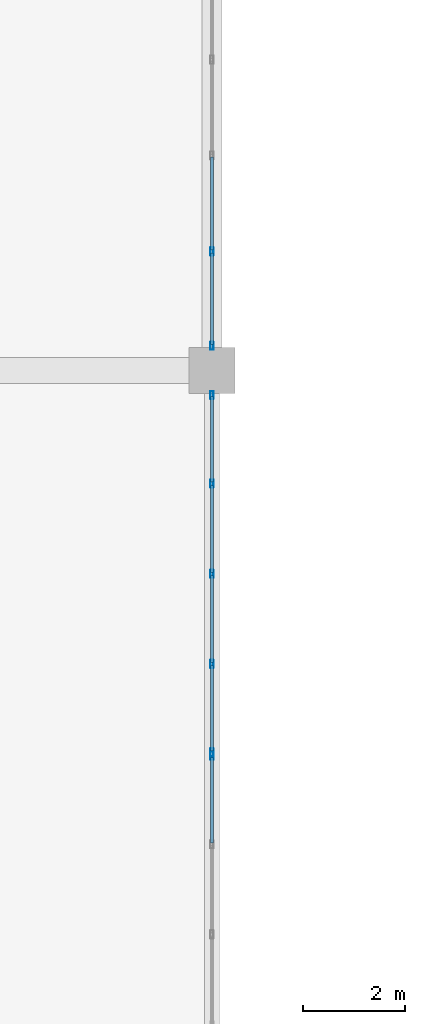
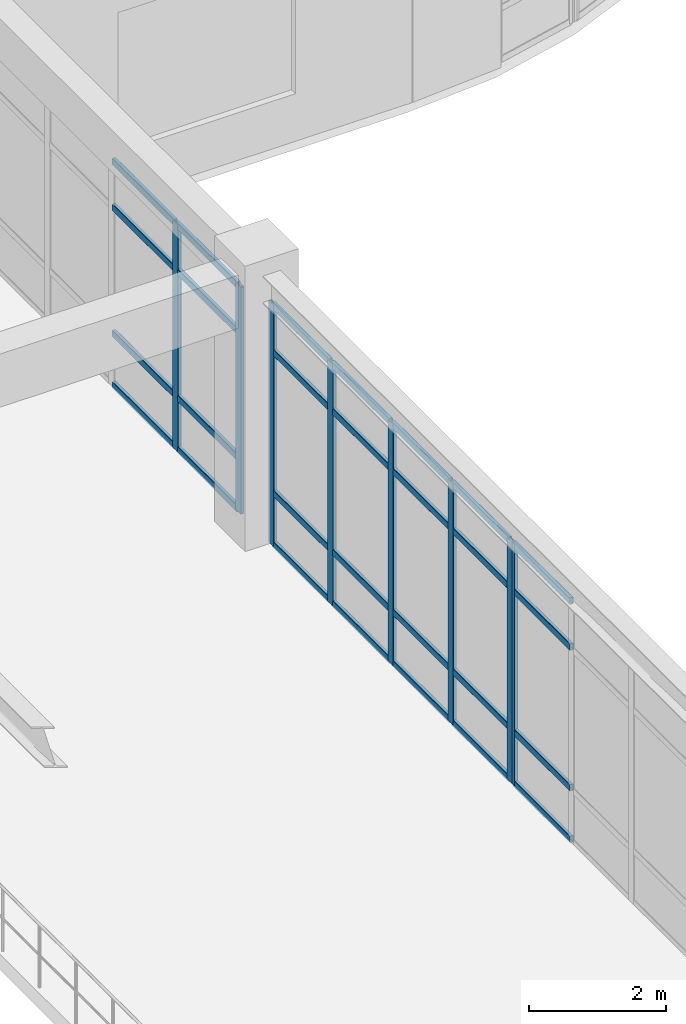
# One storey, part 74 of 120: 36 members, 3 elements without a shape of their own.
"""IFC4 building model written with IfcOpenShell, lengths in metres."""

from ifc_helpers import new_model, si_unit, derived_unit, direction, frame, origin, origin_2d, place, context, subcontext, project, spatial, hollow_rectangle, extrude, material, layer, layer_set, material_profile, profile_set, type_object, element, aggregate, save


model = new_model("IFC4")

# Units and contexts
model_context = context("Model", 3, precision=1e-05, world=origin(), true_north=direction((0.0, 1.0)))
body_context = subcontext(model_context, "Body", "Model", "MODEL_VIEW")
ifc_project = project(units=[si_unit("LENGTHUNIT", "METRE"), si_unit("AREAUNIT", "SQUARE_METRE"), si_unit("VOLUMEUNIT", "CUBIC_METRE"), si_unit("PLANEANGLEUNIT", "RADIAN"), si_unit("MASSUNIT", "GRAM", prefix="KILO"), derived_unit("THERMALTRANSMITTANCEUNIT", [(si_unit("MASSUNIT", "GRAM", prefix="KILO"), 1), (si_unit("TIMEUNIT", "SECOND"), -3), (si_unit("THERMODYNAMICTEMPERATUREUNIT", "KELVIN"), -1)])], contexts=[model_context])

# Site, building, storey
site_placement = place(None, origin())
site = spatial("IfcSite", under=ifc_project, at=site_placement, CompositionType="ELEMENT")
building_placement = place(site_placement, origin())
building = spatial("IfcBuilding", under=site, at=building_placement, Name="Qinzheling Arcade Emporium", CompositionType="ELEMENT")
storey_placement = place(building_placement, frame((0.0, 0.0, 11.39990234375)))
storey = spatial("IfcBuildingStorey", under=building, at=storey_placement, Name="L03", CompositionType="ELEMENT", Elevation=11.39990234375)

# Curtain wall, members
ifc_material_1 = material(Name="Anodised aluminium and solar-control double glazing", Category="aluminium")
ifc_layer = layer(ifc_material_1, 0.159912109375, Name="Anodised aluminium and solar-control double glazing", Category="aluminium")
ifc_layer_set = layer_set([ifc_layer], Name="Anodised aluminium and solar-control double glazing")
curtain_wall_type = type_object("IfcCurtainWallType", Name="Arcade Portal Glazed Curtain Wall", PredefinedType="NOTDEFINED", material=ifc_layer_set)
curtain_wall_1_placement = place(storey_placement, origin())
curtain_wall_1 = element("IfcCurtainWall", 1, at=curtain_wall_1_placement, inside=storey, type_object=curtain_wall_type, Name="Curtain Wall CW-L03-200", PredefinedType="NOTDEFINED")
ifc_material_2 = material(Name="Anodised aluminium 6063-T6", Category="aluminium")
ifc_material_profile_1 = material_profile(ifc_material_2, hollow_rectangle(XDim=0.06005859375, YDim=0.159912109375, WallThickness=0.00390625, InnerFilletRadius=0.00390625, OuterFilletRadius=0.008056640625, at=origin_2d()), Name="RHS 160x60x4", Category="aluminium")
ifc_profile_set_1 = profile_set([ifc_material_profile_1], Name="Anodised aluminium 6063-T6")
member_type_1 = type_object("IfcMemberType", Name="Curtain Wall Mullion RHS160x60", PredefinedType="MULLION", material=ifc_profile_set_1)
member_1_placement = place(storey_placement, frame((130.5, 67.72607421875, 0.0), z_axis=(0.0, 0.0, 1.0), x_axis=(1.0, 0.0, 0.0)))
member_1 = element("IfcMember", 2, at=member_1_placement, type_object=member_type_1, Name="CW05 mullion 4", PredefinedType="MULLION", context=body_context, shape_type="SweptSolid", body=[
    extrude(hollow_rectangle(XDim=0.06005859375, YDim=0.159912109375, WallThickness=0.00390625, InnerFilletRadius=0.00390625, OuterFilletRadius=0.008056640625, at=origin_2d()), origin(), (0.0, 0.0, 1.0), 4.05517578125),
])
member_2_placement = place(storey_placement, frame((130.5, 65.882080078125, 0.0), z_axis=(0.0, 0.0, 1.0), x_axis=(1.0, 0.0, 0.0)))
member_2 = element("IfcMember", 3, at=member_2_placement, type_object=member_type_1, Name="CW05 mullion 5", PredefinedType="MULLION", context=body_context, shape_type="SweptSolid", body=[
    extrude(hollow_rectangle(XDim=0.06005859375, YDim=0.159912109375, WallThickness=0.00390625, InnerFilletRadius=0.00390625, OuterFilletRadius=0.008056640625, at=origin_2d()), origin(), (0.0, 0.0, 1.0), 4.05517578125),
])

curtain_wall_2_placement = place(storey_placement, origin())
curtain_wall_2 = element("IfcCurtainWall", 4, at=curtain_wall_2_placement, inside=storey, type_object=curtain_wall_type, Name="Curtain Wall CW-L03-201", PredefinedType="NOTDEFINED")
member_3_placement = place(storey_placement, frame((130.5, 64.91796875, 0.0), z_axis=(0.0, 0.0, 1.0), x_axis=(1.0, 0.0, 0.0)))
member_3 = element("IfcMember", 5, at=member_3_placement, type_object=member_type_1, Name="CW05 mullion 1", PredefinedType="MULLION", context=body_context, shape_type="SweptSolid", body=[
    extrude(hollow_rectangle(XDim=0.06005859375, YDim=0.159912109375, WallThickness=0.00390625, InnerFilletRadius=0.00390625, OuterFilletRadius=0.008056640625, at=origin_2d()), origin(), (0.0, 0.0, 1.0), 4.317138671875),
])
member_4_placement = place(storey_placement, frame((130.5, 63.1865234375, 0.0), z_axis=(0.0, 0.0, 1.0), x_axis=(1.0, 0.0, 0.0)))
member_4 = element("IfcMember", 6, at=member_4_placement, type_object=member_type_1, Name="CW05 mullion 2", PredefinedType="MULLION", context=body_context, shape_type="SweptSolid", body=[
    extrude(hollow_rectangle(XDim=0.06005859375, YDim=0.159912109375, WallThickness=0.00390625, InnerFilletRadius=0.00390625, OuterFilletRadius=0.008056640625, at=origin_2d()), origin(), (0.0, 0.0, 1.0), 4.317138671875),
])
member_5_placement = place(storey_placement, frame((130.5, 61.425048828125, 0.0), z_axis=(0.0, 0.0, 1.0), x_axis=(1.0, 0.0, 0.0)))
member_5 = element("IfcMember", 7, at=member_5_placement, type_object=member_type_1, Name="CW05 mullion 3", PredefinedType="MULLION", context=body_context, shape_type="SweptSolid", body=[
    extrude(hollow_rectangle(XDim=0.06005859375, YDim=0.159912109375, WallThickness=0.00390625, InnerFilletRadius=0.00390625, OuterFilletRadius=0.008056640625, at=origin_2d()), origin(), (0.0, 0.0, 1.0), 4.317138671875),
])
member_6_placement = place(storey_placement, frame((130.5, 59.66357421875, 0.0), z_axis=(0.0, 0.0, 1.0), x_axis=(1.0, 0.0, 0.0)))
member_6 = element("IfcMember", 8, at=member_6_placement, type_object=member_type_1, Name="CW05 mullion 4", PredefinedType="MULLION", context=body_context, shape_type="SweptSolid", body=[
    extrude(hollow_rectangle(XDim=0.06005859375, YDim=0.159912109375, WallThickness=0.00390625, InnerFilletRadius=0.00390625, OuterFilletRadius=0.008056640625, at=origin_2d()), origin(), (0.0, 0.0, 1.0), 4.317138671875),
])
member_7_placement = place(storey_placement, frame((130.5, 57.931884765625, 0.0), z_axis=(0.0, 0.0, 1.0), x_axis=(1.0, 0.0, 0.0)))
member_7 = element("IfcMember", 9, at=member_7_placement, type_object=member_type_1, Name="CW05 mullion 5", PredefinedType="MULLION", context=body_context, shape_type="SweptSolid", body=[
    extrude(hollow_rectangle(XDim=0.06005859375, YDim=0.159912109375, WallThickness=0.00390625, InnerFilletRadius=0.00390625, OuterFilletRadius=0.008056640625, at=origin_2d()), origin(), (0.0, 0.0, 1.0), 4.317138671875),
])

# Curtain wall, member
curtain_wall_3_placement = place(storey_placement, origin())
curtain_wall_3 = element("IfcCurtainWall", 10, at=curtain_wall_3_placement, inside=storey, type_object=curtain_wall_type, Name="Curtain Wall CW-L03-202", PredefinedType="NOTDEFINED")
member_8_placement = place(storey_placement, frame((130.5, 57.867919921875, 0.0), z_axis=(0.0, 0.0, 1.0), x_axis=(1.0, 0.0, 0.0)))
member_8 = element("IfcMember", 11, at=member_8_placement, type_object=member_type_1, Name="CW05 mullion 1", PredefinedType="MULLION", context=body_context, shape_type="SweptSolid", body=[
    extrude(hollow_rectangle(XDim=0.06005859375, YDim=0.159912109375, WallThickness=0.00390625, InnerFilletRadius=0.00390625, OuterFilletRadius=0.008056640625, at=origin_2d()), origin(), (0.0, 0.0, 1.0), 4.317138671875),
])

# Member
ifc_material_profile_2 = material_profile(ifc_material_2, hollow_rectangle(XDim=0.06005859375, YDim=0.1201171875, WallThickness=0.00390625, InnerFilletRadius=0.00390625, OuterFilletRadius=0.008056640625, at=origin_2d()), Name="RHS 120x60x4", Category="aluminium")
ifc_profile_set_2 = profile_set([ifc_material_profile_2], Name="Anodised aluminium 6063-T6")
member_type_2 = type_object("IfcMemberType", Name="Curtain Wall Transom RHS120x60", PredefinedType="USERDEFINED", material=ifc_profile_set_2)
member_9_placement = place(storey_placement, frame((130.5, 69.570068359375, 0.030029296875), z_axis=(0.0, -1.0, 0.0), x_axis=(1.0, 0.0, 0.0)))
member_9 = element("IfcMember", 12, at=member_9_placement, type_object=member_type_2, Name="CW05 transom 3.1", ObjectType="TRANSOM", PredefinedType="USERDEFINED", context=body_context, shape_type="SweptSolid", body=[
    extrude(hollow_rectangle(XDim=0.06005859375, YDim=0.1201171875, WallThickness=0.00390625, InnerFilletRadius=0.00390625, OuterFilletRadius=0.008056640625, at=origin_2d()), origin(), (0.0, 0.0, 1.0), 1.81396484375),
])

member_10_placement = place(storey_placement, frame((130.5, 69.570068359375, 0.9501953125), z_axis=(0.0, -1.0, 0.0), x_axis=(1.0, 0.0, 0.0)))
member_10 = element("IfcMember", 13, at=member_10_placement, type_object=member_type_2, Name="CW05 transom 3.2", ObjectType="TRANSOM", PredefinedType="USERDEFINED", context=body_context, shape_type="SweptSolid", body=[
    extrude(hollow_rectangle(XDim=0.06005859375, YDim=0.1201171875, WallThickness=0.00390625, InnerFilletRadius=0.00390625, OuterFilletRadius=0.008056640625, at=origin_2d()), origin(), (0.0, 0.0, 1.0), 1.81396484375),
])

member_11_placement = place(storey_placement, frame((130.5, 69.570068359375, 3.205078125), z_axis=(0.0, -1.0, 0.0), x_axis=(1.0, 0.0, 0.0)))
member_11 = element("IfcMember", 14, at=member_11_placement, type_object=member_type_2, Name="CW05 transom 3.3", ObjectType="TRANSOM", PredefinedType="USERDEFINED", context=body_context, shape_type="SweptSolid", body=[
    extrude(hollow_rectangle(XDim=0.06005859375, YDim=0.1201171875, WallThickness=0.00390625, InnerFilletRadius=0.00390625, OuterFilletRadius=0.008056640625, at=origin_2d()), origin(), (0.0, 0.0, 1.0), 1.81396484375),
])

member_12_placement = place(storey_placement, frame((130.5, 69.570068359375, 4.025146484375), z_axis=(0.0, -1.0, 0.0), x_axis=(1.0, 0.0, 0.0)))
member_12 = element("IfcMember", 15, at=member_12_placement, type_object=member_type_2, Name="CW05 transom 3.4", ObjectType="TRANSOM", PredefinedType="USERDEFINED", context=body_context, shape_type="SweptSolid", body=[
    extrude(hollow_rectangle(XDim=0.06005859375, YDim=0.1201171875, WallThickness=0.00390625, InnerFilletRadius=0.00390625, OuterFilletRadius=0.008056640625, at=origin_2d()), origin(), (0.0, 0.0, 1.0), 1.81396484375),
])

member_13_placement = place(storey_placement, frame((130.5, 67.696044921875, 0.030029296875), z_axis=(0.0, -1.0, 0.0), x_axis=(1.0, 0.0, 0.0)))
member_13 = element("IfcMember", 16, at=member_13_placement, type_object=member_type_2, Name="CW05 transom 4.1", ObjectType="TRANSOM", PredefinedType="USERDEFINED", context=body_context, shape_type="SweptSolid", body=[
    extrude(hollow_rectangle(XDim=0.06005859375, YDim=0.1201171875, WallThickness=0.00390625, InnerFilletRadius=0.00390625, OuterFilletRadius=0.008056640625, at=origin_2d()), origin(), (0.0, 0.0, 1.0), 1.783935546875),
])

member_14_placement = place(storey_placement, frame((130.5, 67.696044921875, 0.9501953125), z_axis=(0.0, -1.0, 0.0), x_axis=(1.0, 0.0, 0.0)))
member_14 = element("IfcMember", 17, at=member_14_placement, type_object=member_type_2, Name="CW05 transom 4.2", ObjectType="TRANSOM", PredefinedType="USERDEFINED", context=body_context, shape_type="SweptSolid", body=[
    extrude(hollow_rectangle(XDim=0.06005859375, YDim=0.1201171875, WallThickness=0.00390625, InnerFilletRadius=0.00390625, OuterFilletRadius=0.008056640625, at=origin_2d()), origin(), (0.0, 0.0, 1.0), 1.783935546875),
])

member_15_placement = place(storey_placement, frame((130.5, 67.696044921875, 3.205078125), z_axis=(0.0, -1.0, 0.0), x_axis=(1.0, 0.0, 0.0)))
member_15 = element("IfcMember", 18, at=member_15_placement, type_object=member_type_2, Name="CW05 transom 4.3", ObjectType="TRANSOM", PredefinedType="USERDEFINED", context=body_context, shape_type="SweptSolid", body=[
    extrude(hollow_rectangle(XDim=0.06005859375, YDim=0.1201171875, WallThickness=0.00390625, InnerFilletRadius=0.00390625, OuterFilletRadius=0.008056640625, at=origin_2d()), origin(), (0.0, 0.0, 1.0), 1.783935546875),
])

member_16_placement = place(storey_placement, frame((130.5, 67.696044921875, 4.025146484375), z_axis=(0.0, -1.0, 0.0), x_axis=(1.0, 0.0, 0.0)))
member_16 = element("IfcMember", 19, at=member_16_placement, type_object=member_type_2, Name="CW05 transom 4.4", ObjectType="TRANSOM", PredefinedType="USERDEFINED", context=body_context, shape_type="SweptSolid", body=[
    extrude(hollow_rectangle(XDim=0.06005859375, YDim=0.1201171875, WallThickness=0.00390625, InnerFilletRadius=0.00390625, OuterFilletRadius=0.008056640625, at=origin_2d()), origin(), (0.0, 0.0, 1.0), 1.783935546875),
])

aggregate(curtain_wall_1, [member_1, member_2, member_9, member_10, member_11, member_12, member_13, member_14, member_15, member_16])

member_17_placement = place(storey_placement, frame((130.5, 64.887939453125, 0.030029296875), z_axis=(0.0, -1.0, 0.0), x_axis=(1.0, 0.0, 0.0)))
member_17 = element("IfcMember", 20, at=member_17_placement, type_object=member_type_2, Name="CW05 transom 1.1", ObjectType="TRANSOM", PredefinedType="USERDEFINED", context=body_context, shape_type="SweptSolid", body=[
    extrude(hollow_rectangle(XDim=0.06005859375, YDim=0.1201171875, WallThickness=0.00390625, InnerFilletRadius=0.00390625, OuterFilletRadius=0.008056640625, at=origin_2d()), origin(), (0.0, 0.0, 1.0), 1.67138671875),
])

member_18_placement = place(storey_placement, frame((130.5, 64.887939453125, 0.9501953125), z_axis=(0.0, -1.0, 0.0), x_axis=(1.0, 0.0, 0.0)))
member_18 = element("IfcMember", 21, at=member_18_placement, type_object=member_type_2, Name="CW05 transom 1.2", ObjectType="TRANSOM", PredefinedType="USERDEFINED", context=body_context, shape_type="SweptSolid", body=[
    extrude(hollow_rectangle(XDim=0.06005859375, YDim=0.1201171875, WallThickness=0.00390625, InnerFilletRadius=0.00390625, OuterFilletRadius=0.008056640625, at=origin_2d()), origin(), (0.0, 0.0, 1.0), 1.67138671875),
])

member_19_placement = place(storey_placement, frame((130.5, 64.887939453125, 3.467041015625), z_axis=(0.0, -1.0, 0.0), x_axis=(1.0, 0.0, 0.0)))
member_19 = element("IfcMember", 22, at=member_19_placement, type_object=member_type_2, Name="CW05 transom 1.3", ObjectType="TRANSOM", PredefinedType="USERDEFINED", context=body_context, shape_type="SweptSolid", body=[
    extrude(hollow_rectangle(XDim=0.06005859375, YDim=0.1201171875, WallThickness=0.00390625, InnerFilletRadius=0.00390625, OuterFilletRadius=0.008056640625, at=origin_2d()), origin(), (0.0, 0.0, 1.0), 1.67138671875),
])

member_20_placement = place(storey_placement, frame((130.5, 64.887939453125, 4.287109375), z_axis=(0.0, -1.0, 0.0), x_axis=(1.0, 0.0, 0.0)))
member_20 = element("IfcMember", 23, at=member_20_placement, type_object=member_type_2, Name="CW05 transom 1.4", ObjectType="TRANSOM", PredefinedType="USERDEFINED", context=body_context, shape_type="SweptSolid", body=[
    extrude(hollow_rectangle(XDim=0.06005859375, YDim=0.1201171875, WallThickness=0.00390625, InnerFilletRadius=0.00390625, OuterFilletRadius=0.008056640625, at=origin_2d()), origin(), (0.0, 0.0, 1.0), 1.67138671875),
])

member_21_placement = place(storey_placement, frame((130.5, 63.156494140625, 0.030029296875), z_axis=(0.0, -1.0, 0.0), x_axis=(1.0, 0.0, 0.0)))
member_21 = element("IfcMember", 24, at=member_21_placement, type_object=member_type_2, Name="CW05 transom 2.1", ObjectType="TRANSOM", PredefinedType="USERDEFINED", context=body_context, shape_type="SweptSolid", body=[
    extrude(hollow_rectangle(XDim=0.06005859375, YDim=0.1201171875, WallThickness=0.00390625, InnerFilletRadius=0.00390625, OuterFilletRadius=0.008056640625, at=origin_2d()), origin(), (0.0, 0.0, 1.0), 1.701416015625),
])

member_22_placement = place(storey_placement, frame((130.5, 63.156494140625, 0.9501953125), z_axis=(0.0, -1.0, 0.0), x_axis=(1.0, 0.0, 0.0)))
member_22 = element("IfcMember", 25, at=member_22_placement, type_object=member_type_2, Name="CW05 transom 2.2", ObjectType="TRANSOM", PredefinedType="USERDEFINED", context=body_context, shape_type="SweptSolid", body=[
    extrude(hollow_rectangle(XDim=0.06005859375, YDim=0.1201171875, WallThickness=0.00390625, InnerFilletRadius=0.00390625, OuterFilletRadius=0.008056640625, at=origin_2d()), origin(), (0.0, 0.0, 1.0), 1.701416015625),
])

member_23_placement = place(storey_placement, frame((130.5, 63.156494140625, 3.467041015625), z_axis=(0.0, -1.0, 0.0), x_axis=(1.0, 0.0, 0.0)))
member_23 = element("IfcMember", 26, at=member_23_placement, type_object=member_type_2, Name="CW05 transom 2.3", ObjectType="TRANSOM", PredefinedType="USERDEFINED", context=body_context, shape_type="SweptSolid", body=[
    extrude(hollow_rectangle(XDim=0.06005859375, YDim=0.1201171875, WallThickness=0.00390625, InnerFilletRadius=0.00390625, OuterFilletRadius=0.008056640625, at=origin_2d()), origin(), (0.0, 0.0, 1.0), 1.701416015625),
])

member_24_placement = place(storey_placement, frame((130.5, 63.156494140625, 4.287109375), z_axis=(0.0, -1.0, 0.0), x_axis=(1.0, 0.0, 0.0)))
member_24 = element("IfcMember", 27, at=member_24_placement, type_object=member_type_2, Name="CW05 transom 2.4", ObjectType="TRANSOM", PredefinedType="USERDEFINED", context=body_context, shape_type="SweptSolid", body=[
    extrude(hollow_rectangle(XDim=0.06005859375, YDim=0.1201171875, WallThickness=0.00390625, InnerFilletRadius=0.00390625, OuterFilletRadius=0.008056640625, at=origin_2d()), origin(), (0.0, 0.0, 1.0), 1.701416015625),
])

member_25_placement = place(storey_placement, frame((130.5, 61.39501953125, 0.030029296875), z_axis=(0.0, -1.0, 0.0), x_axis=(1.0, 0.0, 0.0)))
member_25 = element("IfcMember", 28, at=member_25_placement, type_object=member_type_2, Name="CW05 transom 3.1", ObjectType="TRANSOM", PredefinedType="USERDEFINED", context=body_context, shape_type="SweptSolid", body=[
    extrude(hollow_rectangle(XDim=0.06005859375, YDim=0.1201171875, WallThickness=0.00390625, InnerFilletRadius=0.00390625, OuterFilletRadius=0.008056640625, at=origin_2d()), origin(), (0.0, 0.0, 1.0), 1.701416015625),
])

member_26_placement = place(storey_placement, frame((130.5, 61.39501953125, 0.9501953125), z_axis=(0.0, -1.0, 0.0), x_axis=(1.0, 0.0, 0.0)))
member_26 = element("IfcMember", 29, at=member_26_placement, type_object=member_type_2, Name="CW05 transom 3.2", ObjectType="TRANSOM", PredefinedType="USERDEFINED", context=body_context, shape_type="SweptSolid", body=[
    extrude(hollow_rectangle(XDim=0.06005859375, YDim=0.1201171875, WallThickness=0.00390625, InnerFilletRadius=0.00390625, OuterFilletRadius=0.008056640625, at=origin_2d()), origin(), (0.0, 0.0, 1.0), 1.701416015625),
])

member_27_placement = place(storey_placement, frame((130.5, 61.39501953125, 3.467041015625), z_axis=(0.0, -1.0, 0.0), x_axis=(1.0, 0.0, 0.0)))
member_27 = element("IfcMember", 30, at=member_27_placement, type_object=member_type_2, Name="CW05 transom 3.3", ObjectType="TRANSOM", PredefinedType="USERDEFINED", context=body_context, shape_type="SweptSolid", body=[
    extrude(hollow_rectangle(XDim=0.06005859375, YDim=0.1201171875, WallThickness=0.00390625, InnerFilletRadius=0.00390625, OuterFilletRadius=0.008056640625, at=origin_2d()), origin(), (0.0, 0.0, 1.0), 1.701416015625),
])

member_28_placement = place(storey_placement, frame((130.5, 61.39501953125, 4.287109375), z_axis=(0.0, -1.0, 0.0), x_axis=(1.0, 0.0, 0.0)))
member_28 = element("IfcMember", 31, at=member_28_placement, type_object=member_type_2, Name="CW05 transom 3.4", ObjectType="TRANSOM", PredefinedType="USERDEFINED", context=body_context, shape_type="SweptSolid", body=[
    extrude(hollow_rectangle(XDim=0.06005859375, YDim=0.1201171875, WallThickness=0.00390625, InnerFilletRadius=0.00390625, OuterFilletRadius=0.008056640625, at=origin_2d()), origin(), (0.0, 0.0, 1.0), 1.701416015625),
])

member_29_placement = place(storey_placement, frame((130.5, 59.633544921875, 0.030029296875), z_axis=(0.0, -1.0, 0.0), x_axis=(1.0, 0.0, 0.0)))
member_29 = element("IfcMember", 32, at=member_29_placement, type_object=member_type_2, Name="CW05 transom 4.1", ObjectType="TRANSOM", PredefinedType="USERDEFINED", context=body_context, shape_type="SweptSolid", body=[
    extrude(hollow_rectangle(XDim=0.06005859375, YDim=0.1201171875, WallThickness=0.00390625, InnerFilletRadius=0.00390625, OuterFilletRadius=0.008056640625, at=origin_2d()), origin(), (0.0, 0.0, 1.0), 1.671630859375),
])

member_30_placement = place(storey_placement, frame((130.5, 59.633544921875, 0.9501953125), z_axis=(0.0, -1.0, 0.0), x_axis=(1.0, 0.0, 0.0)))
member_30 = element("IfcMember", 33, at=member_30_placement, type_object=member_type_2, Name="CW05 transom 4.2", ObjectType="TRANSOM", PredefinedType="USERDEFINED", context=body_context, shape_type="SweptSolid", body=[
    extrude(hollow_rectangle(XDim=0.06005859375, YDim=0.1201171875, WallThickness=0.00390625, InnerFilletRadius=0.00390625, OuterFilletRadius=0.008056640625, at=origin_2d()), origin(), (0.0, 0.0, 1.0), 1.671630859375),
])

member_31_placement = place(storey_placement, frame((130.5, 59.633544921875, 3.467041015625), z_axis=(0.0, -1.0, 0.0), x_axis=(1.0, 0.0, 0.0)))
member_31 = element("IfcMember", 34, at=member_31_placement, type_object=member_type_2, Name="CW05 transom 4.3", ObjectType="TRANSOM", PredefinedType="USERDEFINED", context=body_context, shape_type="SweptSolid", body=[
    extrude(hollow_rectangle(XDim=0.06005859375, YDim=0.1201171875, WallThickness=0.00390625, InnerFilletRadius=0.00390625, OuterFilletRadius=0.008056640625, at=origin_2d()), origin(), (0.0, 0.0, 1.0), 1.671630859375),
])

member_32_placement = place(storey_placement, frame((130.5, 59.633544921875, 4.287109375), z_axis=(0.0, -1.0, 0.0), x_axis=(1.0, 0.0, 0.0)))
member_32 = element("IfcMember", 35, at=member_32_placement, type_object=member_type_2, Name="CW05 transom 4.4", ObjectType="TRANSOM", PredefinedType="USERDEFINED", context=body_context, shape_type="SweptSolid", body=[
    extrude(hollow_rectangle(XDim=0.06005859375, YDim=0.1201171875, WallThickness=0.00390625, InnerFilletRadius=0.00390625, OuterFilletRadius=0.008056640625, at=origin_2d()), origin(), (0.0, 0.0, 1.0), 1.671630859375),
])

aggregate(curtain_wall_2, [member_3, member_4, member_5, member_6, member_7, member_17, member_18, member_19, member_20, member_21, member_22, member_23, member_24, member_25, member_26, member_27, member_28, member_29, member_30, member_31, member_32])

member_33_placement = place(storey_placement, frame((130.5, 57.837890625, 0.030029296875), z_axis=(0.0, -1.0, 0.0), x_axis=(1.0, 0.0, 0.0)))
member_33 = element("IfcMember", 36, at=member_33_placement, type_object=member_type_2, Name="CW05 transom 1.1", ObjectType="TRANSOM", PredefinedType="USERDEFINED", context=body_context, shape_type="SweptSolid", body=[
    extrude(hollow_rectangle(XDim=0.06005859375, YDim=0.1201171875, WallThickness=0.00390625, InnerFilletRadius=0.00390625, OuterFilletRadius=0.008056640625, at=origin_2d()), origin(), (0.0, 0.0, 1.0), 1.67138671875),
])

member_34_placement = place(storey_placement, frame((130.5, 57.837890625, 0.9501953125), z_axis=(0.0, -1.0, 0.0), x_axis=(1.0, 0.0, 0.0)))
member_34 = element("IfcMember", 37, at=member_34_placement, type_object=member_type_2, Name="CW05 transom 1.2", ObjectType="TRANSOM", PredefinedType="USERDEFINED", context=body_context, shape_type="SweptSolid", body=[
    extrude(hollow_rectangle(XDim=0.06005859375, YDim=0.1201171875, WallThickness=0.00390625, InnerFilletRadius=0.00390625, OuterFilletRadius=0.008056640625, at=origin_2d()), origin(), (0.0, 0.0, 1.0), 1.67138671875),
])

member_35_placement = place(storey_placement, frame((130.5, 57.837890625, 3.467041015625), z_axis=(0.0, -1.0, 0.0), x_axis=(1.0, 0.0, 0.0)))
member_35 = element("IfcMember", 38, at=member_35_placement, type_object=member_type_2, Name="CW05 transom 1.3", ObjectType="TRANSOM", PredefinedType="USERDEFINED", context=body_context, shape_type="SweptSolid", body=[
    extrude(hollow_rectangle(XDim=0.06005859375, YDim=0.1201171875, WallThickness=0.00390625, InnerFilletRadius=0.00390625, OuterFilletRadius=0.008056640625, at=origin_2d()), origin(), (0.0, 0.0, 1.0), 1.67138671875),
])

member_36_placement = place(storey_placement, frame((130.5, 57.837890625, 4.287109375), z_axis=(0.0, -1.0, 0.0), x_axis=(1.0, 0.0, 0.0)))
member_36 = element("IfcMember", 39, at=member_36_placement, type_object=member_type_2, Name="CW05 transom 1.4", ObjectType="TRANSOM", PredefinedType="USERDEFINED", context=body_context, shape_type="SweptSolid", body=[
    extrude(hollow_rectangle(XDim=0.06005859375, YDim=0.1201171875, WallThickness=0.00390625, InnerFilletRadius=0.00390625, OuterFilletRadius=0.008056640625, at=origin_2d()), origin(), (0.0, 0.0, 1.0), 1.67138671875),
])

aggregate(curtain_wall_3, [member_8, member_33, member_34, member_35, member_36])

save(model, "model.ifc")
